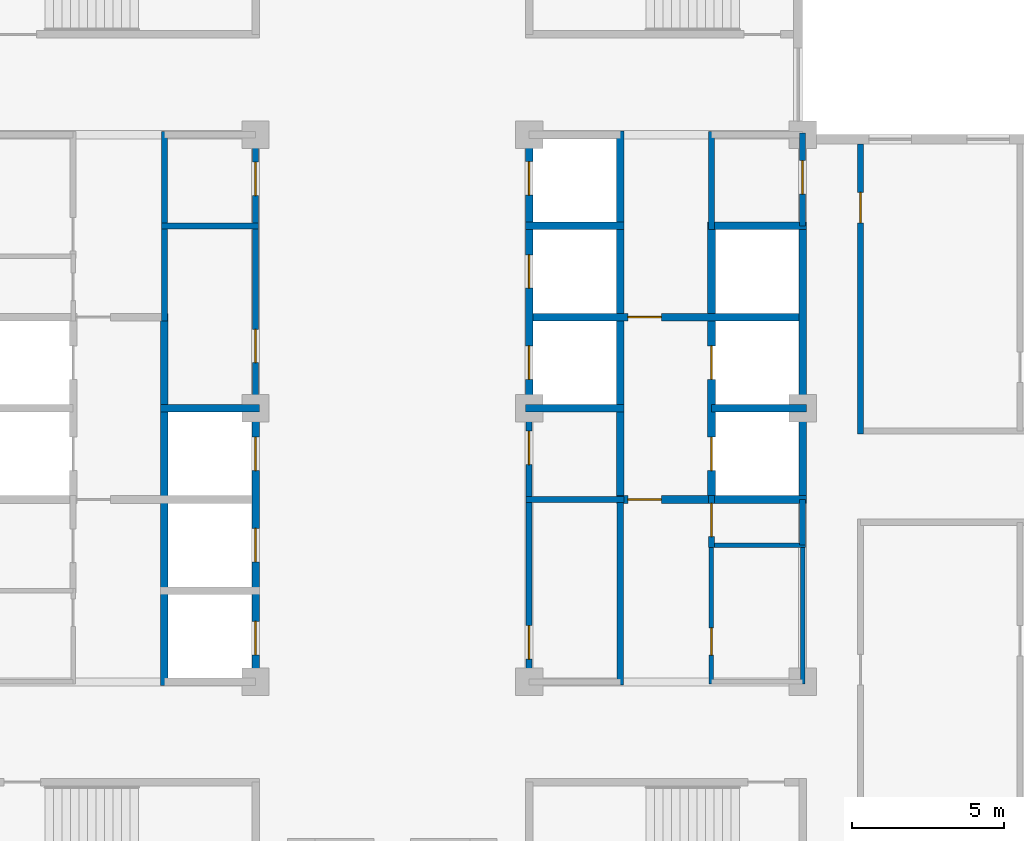
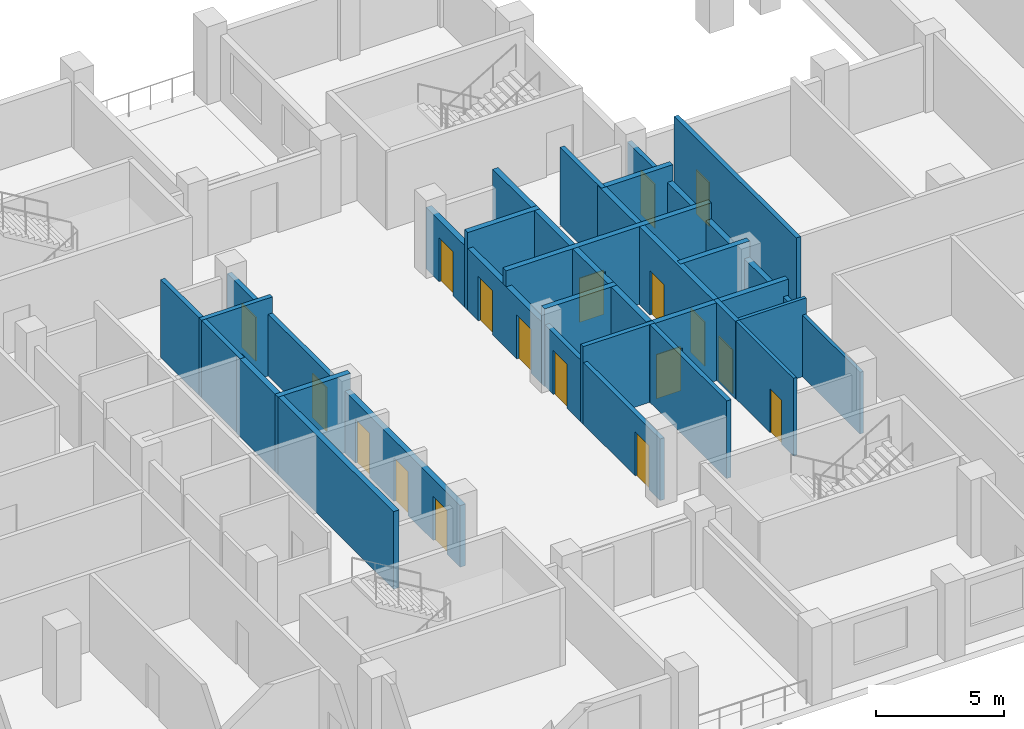
# One storey, part 5 of 12: 27 walls, 18 doors, 18 openings.
"""IFC4 building model written with IfcOpenShell, lengths in metres."""

from ifc_helpers import new_model, si_unit, direction, frame, frame_2d, origin, place, context, subcontext, project, spatial, rectangle, extrude, material, layer, layer_set, type_object, element, fill, save


model = new_model("IFC4")

# Units and contexts
model_context = context("Model", 3, precision=1e-05, world=origin(), true_north=direction((0.0, 1.0)))
body_context = subcontext(model_context, "Body", "Model", "MODEL_VIEW")
ifc_project = project(units=[si_unit("LENGTHUNIT", "METRE"), si_unit("AREAUNIT", "SQUARE_METRE"), si_unit("VOLUMEUNIT", "CUBIC_METRE"), si_unit("PLANEANGLEUNIT", "RADIAN"), si_unit("MASSUNIT", "GRAM", prefix="KILO")], contexts=[model_context])

# Site, building, storey
site_placement = place(None, origin())
site = spatial("IfcSite", under=ifc_project, at=site_placement, CompositionType="ELEMENT")
building_placement = place(site_placement, origin())
building = spatial("IfcBuilding", under=site, at=building_placement, Name="Corbelhall Arena Tower", CompositionType="ELEMENT")
storey_placement = place(building_placement, frame((0.0, 0.0, 126.0)))
storey = spatial("IfcBuildingStorey", under=building, at=storey_placement, Name="L23", CompositionType="ELEMENT", Elevation=126.0)

# Wall, opening, door
ifc_material_1 = material(Name="Gypsum board on steel stud, acoustic", Category="steel")
ifc_layer_1 = layer(ifc_material_1, 0.199951171875)
ifc_layer_set_1 = layer_set([ifc_layer_1], Name="IN-W-DM200")
wall_type_1 = type_object("IfcWallType", Name="IN-W-DM200", PredefinedType="PARTITIONING", material=ifc_layer_set_1)
wall_1_placement = place(storey_placement, frame((15.39990234375, 8.699951171875, 0.0), z_axis=(0.0, 0.0, 1.0), x_axis=(0.0, -1.0, 0.0)))
wall_1 = element("IfcWall", 1, at=wall_1_placement, inside=storey, type_object=wall_type_1, Name="Partition 033", PredefinedType="PARTITIONING", context=body_context, shape_type="SweptSolid", body=[
    extrude(rectangle(XDim=9.550048828125, YDim=0.199951171875, at=frame_2d((4.77490234375, 0.0))), origin(), (0.0, 0.0, 1.0), 3.699951171875),
])
opening_1_placement = place(wall_1_placement, frame((1.60009765625, 0.0, 0.0)))
opening_1 = element("IfcOpeningElement", 2, at=opening_1_placement, cuts=wall_1, Name="Opening 06033", PredefinedType="OPENING", context=body_context, shape_type="SweptSolid", body=[
    extrude(rectangle(XDim=1.0, YDim=2.10009765625, at=frame_2d((0.5, 1.050048828125))), frame((0.0, 0.10009765625, 0.0), z_axis=(0.0, -1.0, 0.0), x_axis=(1.0, 0.0, 0.0)), (0.0, 0.0, 1.0), 0.199951171875),
])
ifc_material_2 = material(Name="Steel door set", Category="steel")
door_type_1 = type_object("IfcDoorType", Name="IN-D-SW100", OperationType="NOTDEFINED", PredefinedType="DOOR", material=ifc_material_2)
door_1_placement = place(opening_1_placement, origin())
door_1 = element("IfcDoor", 3, at=door_1_placement, inside=storey, type_object=door_type_1, Name="Door 033", OperationType="SINGLE_SWING_RIGHT", OverallHeight=2.10009765625, OverallWidth=1.0, PredefinedType="DOOR", context=body_context, shape_type="SweptSolid", body=[
    extrude(rectangle(XDim=1.0, YDim=2.10009765625, at=frame_2d((0.5, 1.050048828125))), frame((0.0, 0.02490234375, 0.0), z_axis=(0.0, -1.0, 0.0), x_axis=(1.0, 0.0, 0.0)), (0.0, 0.0, 1.0), 0.050048828125),
])
fill(opening_1, door_1)

# Walls
ifc_material_3 = material(Name="Concrete block wall", Category="concrete")
ifc_layer_2 = layer(ifc_material_3, 0.199951171875)
ifc_layer_set_2 = layer_set([ifc_layer_2], Name="IN-W-RS200")
wall_type_2 = type_object("IfcWallType", Name="IN-W-RS200", PredefinedType="SOLIDWALL", material=ifc_layer_set_2)
wall_2_placement = place(storey_placement, frame((-7.60009765625, 6.0, 0.0), z_axis=(0.0, 0.0, 1.0), x_axis=(1.0, 0.0, 0.0)))
element("IfcWall", 4, at=wall_2_placement, inside=storey, type_object=wall_type_2, Name="Partition 050", PredefinedType="SOLIDWALL", context=body_context, shape_type="SweptSolid", body=[
    extrude(rectangle(XDim=3.2001953125, YDim=0.199951171875, at=frame_2d((1.60009765625, 0.0))), origin(), (0.0, 0.0, 1.0), 3.699951171875),
])
wall_3_placement = place(storey_placement, frame((-7.5, 2.875, 0.0), z_axis=(0.0, 0.0, 1.0), x_axis=(0.0, 1.0, 0.0)))
element("IfcWall", 5, at=wall_3_placement, inside=storey, type_object=wall_type_2, Name="Partition 051", PredefinedType="SOLIDWALL", context=body_context, shape_type="SweptSolid", body=[
    extrude(rectangle(XDim=6.22509765625, YDim=0.199951171875, at=frame_2d((3.112548828125, 0.0))), origin(), (0.0, 0.0, 1.0), 3.699951171875),
])
wall_4_placement = place(storey_placement, frame((4.39990234375, -3.0, 0.0), z_axis=(0.0, 0.0, 1.0), x_axis=(1.0, 0.0, 0.0)))
element("IfcWall", 6, at=wall_4_placement, inside=storey, type_object=wall_type_2, Name="Partition 054", PredefinedType="SOLIDWALL", context=body_context, shape_type="SweptSolid", body=[
    extrude(rectangle(XDim=3.22509765625, YDim=0.199951171875, at=frame_2d((1.612548828125, 0.0))), origin(), (0.0, 0.0, 1.0), 3.699951171875),
])
wall_5_placement = place(storey_placement, frame((7.5, -2.875, 0.0), z_axis=(0.0, 0.0, 1.0), x_axis=(0.0, -1.0, 0.0)))
element("IfcWall", 7, at=wall_5_placement, inside=storey, type_object=wall_type_2, Name="Partition 057", PredefinedType="SOLIDWALL", context=body_context, shape_type="SweptSolid", body=[
    extrude(rectangle(XDim=6.22509765625, YDim=0.199951171875, at=frame_2d((3.112548828125, 0.0))), origin(), (0.0, 0.0, 1.0), 3.699951171875),
])

# Wall, opening, door
wall_6_placement = place(storey_placement, frame((10.5, -2.875, 0.0), z_axis=(0.0, 0.0, 1.0), x_axis=(0.0, -1.0, 0.0)))
wall_6 = element("IfcWall", 8, at=wall_6_placement, inside=storey, type_object=wall_type_2, Name="Partition 058", PredefinedType="SOLIDWALL", context=body_context, shape_type="SweptSolid", body=[
    extrude(rectangle(XDim=1.699951171875, YDim=0.199951171875, at=frame_2d((0.85009765625, 0.0))), origin(), (0.0, 0.0, 1.0), 3.699951171875),
])
opening_2_placement = place(wall_6_placement, frame((0.25, 0.0, 0.0)))
opening_2 = element("IfcOpeningElement", 9, at=opening_2_placement, cuts=wall_6, Name="Opening 06013", PredefinedType="OPENING", context=body_context, shape_type="SweptSolid", body=[
    extrude(rectangle(XDim=1.10009765625, YDim=2.10009765625, at=frame_2d((0.550048828125, 1.050048828125))), frame((0.0, 0.10009765625, 0.0), z_axis=(0.0, -1.0, 0.0), x_axis=(1.0, 0.0, 0.0)), (0.0, 0.0, 1.0), 0.199951171875),
])
door_type_2 = type_object("IfcDoorType", Name="IN-D-FD110", OperationType="NOTDEFINED", PredefinedType="DOOR", material=ifc_material_2)
door_2_placement = place(opening_2_placement, origin())
door_2 = element("IfcDoor", 10, at=door_2_placement, inside=storey, type_object=door_type_2, Name="Door 013", OperationType="SINGLE_SWING_RIGHT", OverallHeight=2.10009765625, OverallWidth=1.10009765625, PredefinedType="DOOR", context=body_context, shape_type="SweptSolid", body=[
    extrude(rectangle(XDim=1.10009765625, YDim=2.10009765625, at=frame_2d((0.550048828125, 1.050048828125))), frame((0.0, 0.02490234375, 0.0), z_axis=(0.0, -1.0, 0.0), x_axis=(1.0, 0.0, 0.0)), (0.0, 0.0, 1.0), 0.050048828125),
])
fill(opening_2, door_2)

# Wall
wall_7_placement = place(storey_placement, frame((10.5, 9.10009765625, 0.0), z_axis=(0.0, 0.0, 1.0), x_axis=(0.0, -1.0, 0.0)))
element("IfcWall", 11, at=wall_7_placement, inside=storey, type_object=wall_type_2, Name="Partition 060", PredefinedType="SOLIDWALL", context=body_context, shape_type="SweptSolid", body=[
    extrude(rectangle(XDim=3.22509765625, YDim=0.199951171875, at=frame_2d((1.612548828125, 0.0))), origin(), (0.0, 0.0, 1.0), 3.699951171875),
])

# Wall, openings, doors
ifc_layer_3 = layer(ifc_material_3, 0.199951171875)
ifc_layer_set_3 = layer_set([ifc_layer_3], Name="IN-W-RS200 under beam 762 mm")
wall_type_3 = type_object("IfcWallType", Name="IN-W-RS200 under beam 762 mm", PredefinedType="SOLIDWALL", material=ifc_layer_set_3)
wall_8_placement = place(storey_placement, frame((-4.5, 9.10009765625, 0.0), z_axis=(0.0, 0.0, 1.0), x_axis=(0.0, -1.0, 0.0)))
wall_8 = element("IfcWall", 12, at=wall_8_placement, inside=storey, type_object=wall_type_3, Name="Partition 053", PredefinedType="SOLIDWALL", context=body_context, shape_type="SweptSolid", body=[
    extrude(rectangle(XDim=9.10009765625, YDim=0.199951171875, at=frame_2d((4.550048828125, 0.0))), origin(), (0.0, 0.0, 1.0), 2.93798828125),
])
opening_3_placement = place(wall_8_placement, frame((6.5, 0.0, 0.0)))
opening_3 = element("IfcOpeningElement", 13, at=opening_3_placement, cuts=wall_8, Name="Opening 06001", PredefinedType="OPENING", context=body_context, shape_type="SweptSolid", body=[
    extrude(rectangle(XDim=1.10009765625, YDim=2.10009765625, at=frame_2d((0.550048828125, 1.050048828125))), frame((0.0, 0.10009765625, 0.0), z_axis=(0.0, -1.0, 0.0), x_axis=(1.0, 0.0, 0.0)), (0.0, 0.0, 1.0), 0.199951171875),
])
opening_4_placement = place(wall_8_placement, frame((1.0, 0.0, 0.0)))
opening_4 = element("IfcOpeningElement", 14, at=opening_4_placement, cuts=wall_8, Name="Opening 06002", PredefinedType="OPENING", context=body_context, shape_type="SweptSolid", body=[
    extrude(rectangle(XDim=1.10009765625, YDim=2.10009765625, at=frame_2d((0.550048828125, 1.050048828125))), frame((0.0, 0.10009765625, 0.0), z_axis=(0.0, -1.0, 0.0), x_axis=(1.0, 0.0, 0.0)), (0.0, 0.0, 1.0), 0.199951171875),
])
door_3_placement = place(opening_3_placement, origin())
door_3 = element("IfcDoor", 15, at=door_3_placement, inside=storey, type_object=door_type_2, Name="Door 001", OperationType="SINGLE_SWING_RIGHT", OverallHeight=2.10009765625, OverallWidth=1.10009765625, PredefinedType="DOOR", context=body_context, shape_type="SweptSolid", body=[
    extrude(rectangle(XDim=1.10009765625, YDim=2.10009765625, at=frame_2d((0.550048828125, 1.050048828125))), frame((0.0, 0.02490234375, 0.0), z_axis=(0.0, -1.0, 0.0), x_axis=(1.0, 0.0, 0.0)), (0.0, 0.0, 1.0), 0.050048828125),
])
fill(opening_3, door_3)
door_4_placement = place(opening_4_placement, origin())
door_4 = element("IfcDoor", 16, at=door_4_placement, inside=storey, type_object=door_type_2, Name="Door 002", OperationType="SINGLE_SWING_LEFT", OverallHeight=2.10009765625, OverallWidth=1.10009765625, PredefinedType="DOOR", context=body_context, shape_type="SweptSolid", body=[
    extrude(rectangle(XDim=1.10009765625, YDim=2.10009765625, at=frame_2d((0.550048828125, 1.050048828125))), frame((0.0, 0.02490234375, 0.0), z_axis=(0.0, -1.0, 0.0), x_axis=(1.0, 0.0, 0.0)), (0.0, 0.0, 1.0), 0.050048828125),
])
fill(opening_4, door_4)

wall_9_placement = place(storey_placement, frame((4.5, -9.10009765625, 0.0), z_axis=(0.0, 0.0, 1.0), x_axis=(0.0, 1.0, 0.0)))
wall_9 = element("IfcWall", 17, at=wall_9_placement, inside=storey, type_object=wall_type_3, Name="Partition 055", PredefinedType="SOLIDWALL", context=body_context, shape_type="SweptSolid", body=[
    extrude(rectangle(XDim=9.10009765625, YDim=0.199951171875, at=frame_2d((4.550048828125, 0.0))), origin(), (0.0, 0.0, 1.0), 2.93798828125),
])
opening_5_placement = place(wall_9_placement, frame((0.85009765625, 0.0, 0.0)))
opening_5 = element("IfcOpeningElement", 18, at=opening_5_placement, cuts=wall_9, Name="Opening 06008", PredefinedType="OPENING", context=body_context, shape_type="SweptSolid", body=[
    extrude(rectangle(XDim=1.10009765625, YDim=2.10009765625, at=frame_2d((0.550048828125, 1.050048828125))), frame((0.0, 0.10009765625, 0.0), z_axis=(0.0, -1.0, 0.0), x_axis=(1.0, 0.0, 0.0)), (0.0, 0.0, 1.0), 0.199951171875),
])
opening_6_placement = place(wall_9_placement, frame((7.25, 0.0, 0.0)))
opening_6 = element("IfcOpeningElement", 19, at=opening_6_placement, cuts=wall_9, Name="Opening 06009", PredefinedType="OPENING", context=body_context, shape_type="SweptSolid", body=[
    extrude(rectangle(XDim=1.10009765625, YDim=2.10009765625, at=frame_2d((0.550048828125, 1.050048828125))), frame((0.0, 0.10009765625, 0.0), z_axis=(0.0, -1.0, 0.0), x_axis=(1.0, 0.0, 0.0)), (0.0, 0.0, 1.0), 0.199951171875),
])
door_5_placement = place(opening_5_placement, origin())
door_5 = element("IfcDoor", 20, at=door_5_placement, inside=storey, type_object=door_type_2, Name="Door 008", OperationType="SINGLE_SWING_LEFT", OverallHeight=2.10009765625, OverallWidth=1.10009765625, PredefinedType="DOOR", context=body_context, shape_type="SweptSolid", body=[
    extrude(rectangle(XDim=1.10009765625, YDim=2.10009765625, at=frame_2d((0.550048828125, 1.050048828125))), frame((0.0, 0.02490234375, 0.0), z_axis=(0.0, -1.0, 0.0), x_axis=(1.0, 0.0, 0.0)), (0.0, 0.0, 1.0), 0.050048828125),
])
fill(opening_5, door_5)
door_6_placement = place(opening_6_placement, origin())
door_6 = element("IfcDoor", 21, at=door_6_placement, inside=storey, type_object=door_type_2, Name="Door 009", OperationType="SINGLE_SWING_RIGHT", OverallHeight=2.10009765625, OverallWidth=1.10009765625, PredefinedType="DOOR", context=body_context, shape_type="SweptSolid", body=[
    extrude(rectangle(XDim=1.10009765625, YDim=2.10009765625, at=frame_2d((0.550048828125, 1.050048828125))), frame((0.0, 0.02490234375, 0.0), z_axis=(0.0, -1.0, 0.0), x_axis=(1.0, 0.0, 0.0)), (0.0, 0.0, 1.0), 0.050048828125),
])
fill(opening_6, door_6)

# Wall
wall_10_placement = place(storey_placement, frame((13.5, -3.0, 0.0), z_axis=(0.0, 0.0, 1.0), x_axis=(0.0, -1.0, 0.0)))
element("IfcWall", 22, at=wall_10_placement, inside=storey, type_object=wall_type_3, Name="Partition 061", PredefinedType="SOLIDWALL", context=body_context, shape_type="SweptSolid", body=[
    extrude(rectangle(XDim=1.5, YDim=0.199951171875, at=frame_2d((0.75, 0.0))), origin(), (0.0, 0.0, 1.0), 2.93798828125),
])

# Wall, opening, door
wall_11_placement = place(storey_placement, frame((13.5, 9.050048828125, 0.0), z_axis=(0.0, 0.0, 1.0), x_axis=(0.0, -1.0, 0.0)))
wall_11 = element("IfcWall", 23, at=wall_11_placement, inside=storey, type_object=wall_type_3, Name="Partition 062", PredefinedType="SOLIDWALL", context=body_context, shape_type="SweptSolid", body=[
    extrude(rectangle(XDim=3.050048828125, YDim=0.199951171875, at=frame_2d((1.52490234375, 0.0))), origin(), (0.0, 0.0, 1.0), 2.93798828125),
])
opening_7_placement = place(wall_11_placement, frame((0.89990234375, 0.0, 0.0)))
opening_7 = element("IfcOpeningElement", 24, at=opening_7_placement, cuts=wall_11, Name="Opening 06014", PredefinedType="OPENING", context=body_context, shape_type="SweptSolid", body=[
    extrude(rectangle(XDim=1.10009765625, YDim=2.10009765625, at=frame_2d((0.550048828125, 1.050048828125))), frame((0.0, 0.10009765625, 0.0), z_axis=(0.0, -1.0, 0.0), x_axis=(1.0, 0.0, 0.0)), (0.0, 0.0, 1.0), 0.199951171875),
])
door_7_placement = place(opening_7_placement, origin())
door_7 = element("IfcDoor", 25, at=door_7_placement, inside=storey, type_object=door_type_2, Name="Door 014", OperationType="SINGLE_SWING_LEFT", OverallHeight=2.10009765625, OverallWidth=1.10009765625, PredefinedType="DOOR", context=body_context, shape_type="SweptSolid", body=[
    extrude(rectangle(XDim=1.10009765625, YDim=2.10009765625, at=frame_2d((0.550048828125, 1.050048828125))), frame((0.0, 0.02490234375, 0.0), z_axis=(0.0, -1.0, 0.0), x_axis=(1.0, 0.0, 0.0)), (0.0, 0.0, 1.0), 0.050048828125),
])
fill(opening_7, door_7)

# Walls
ifc_material_4 = material(Name="Concrete C40/50", Category="concrete")
ifc_layer_4 = layer(ifc_material_4, 0.25)
ifc_layer_set_4 = layer_set([ifc_layer_4], Name="IN-W-SH250")
wall_type_4 = type_object("IfcWallType", Name="IN-W-SH250", PredefinedType="SOLIDWALL", material=ifc_layer_set_4)
wall_12_placement = place(storey_placement, frame((-7.625, 0.0, 0.0), z_axis=(0.0, 0.0, 1.0), x_axis=(1.0, 0.0, 0.0)))
element("IfcWall", 26, at=wall_12_placement, inside=storey, type_object=wall_type_4, Name="Shaft wall 069", PredefinedType="SOLIDWALL", context=body_context, shape_type="SweptSolid", body=[
    extrude(rectangle(XDim=3.25, YDim=0.25, at=frame_2d((1.625, 0.0))), origin(), (0.0, 0.0, 1.0), 3.699951171875),
])
wall_13_placement = place(storey_placement, frame((-7.5, -9.125, 0.0), z_axis=(0.0, 0.0, 1.0), x_axis=(0.0, 1.0, 0.0)))
element("IfcWall", 27, at=wall_13_placement, inside=storey, type_object=wall_type_4, Name="Shaft wall 070", PredefinedType="SOLIDWALL", context=body_context, shape_type="SweptSolid", body=[
    extrude(rectangle(XDim=12.25, YDim=0.25, at=frame_2d((6.125, 0.0))), origin(), (0.0, 0.0, 1.0), 3.699951171875),
])
wall_14_placement = place(storey_placement, frame((4.375, 0.0, 0.0), z_axis=(0.0, 0.0, 1.0), x_axis=(1.0, 0.0, 0.0)))
element("IfcWall", 28, at=wall_14_placement, inside=storey, type_object=wall_type_4, Name="Shaft wall 073", PredefinedType="SOLIDWALL", context=body_context, shape_type="SweptSolid", body=[
    extrude(rectangle(XDim=3.25, YDim=0.25, at=frame_2d((1.625, 0.0))), origin(), (0.0, 0.0, 1.0), 3.699951171875),
])

# Wall, opening, door
wall_15_placement = place(storey_placement, frame((4.375, 3.0, 0.0), z_axis=(0.0, 0.0, 1.0), x_axis=(1.0, 0.0, 0.0)))
wall_15 = element("IfcWall", 29, at=wall_15_placement, inside=storey, type_object=wall_type_4, Name="Shaft wall 074", PredefinedType="SOLIDWALL", context=body_context, shape_type="SweptSolid", body=[
    extrude(rectangle(XDim=9.25, YDim=0.25, at=frame_2d((4.625, 0.0))), origin(), (0.0, 0.0, 1.0), 3.699951171875),
])
opening_8_placement = place(wall_15_placement, frame((3.375, 0.0, 0.0)))
opening_8 = element("IfcOpeningElement", 30, at=opening_8_placement, cuts=wall_15, Name="Opening 06011", PredefinedType="OPENING", context=body_context, shape_type="SweptSolid", body=[
    extrude(rectangle(XDim=1.10009765625, YDim=2.10009765625, at=frame_2d((0.550048828125, 1.050048828125))), frame((0.0, 0.125, 0.0), z_axis=(0.0, -1.0, 0.0), x_axis=(1.0, 0.0, 0.0)), (0.0, 0.0, 1.0), 0.25),
])
door_8_placement = place(opening_8_placement, origin())
door_8 = element("IfcDoor", 31, at=door_8_placement, inside=storey, type_object=door_type_2, Name="Door 011", OperationType="SINGLE_SWING_RIGHT", OverallHeight=2.10009765625, OverallWidth=1.10009765625, PredefinedType="DOOR", context=body_context, shape_type="SweptSolid", body=[
    extrude(rectangle(XDim=1.10009765625, YDim=2.10009765625, at=frame_2d((0.550048828125, 1.050048828125))), frame((0.0, 0.02490234375, 0.0), z_axis=(0.0, -1.0, 0.0), x_axis=(1.0, 0.0, 0.0)), (0.0, 0.0, 1.0), 0.050048828125),
])
fill(opening_8, door_8)

# Wall
wall_16_placement = place(storey_placement, frame((4.375, 6.0, 0.0), z_axis=(0.0, 0.0, 1.0), x_axis=(1.0, 0.0, 0.0)))
element("IfcWall", 32, at=wall_16_placement, inside=storey, type_object=wall_type_4, Name="Shaft wall 075", PredefinedType="SOLIDWALL", context=body_context, shape_type="SweptSolid", body=[
    extrude(rectangle(XDim=3.25, YDim=0.25, at=frame_2d((1.625, 0.0))), origin(), (0.0, 0.0, 1.0), 3.699951171875),
])

# Wall, opening, door
wall_17_placement = place(storey_placement, frame((7.5, -3.0, 0.0), z_axis=(0.0, 0.0, 1.0), x_axis=(1.0, 0.0, 0.0)))
wall_17 = element("IfcWall", 33, at=wall_17_placement, inside=storey, type_object=wall_type_4, Name="Shaft wall 078", PredefinedType="SOLIDWALL", context=body_context, shape_type="SweptSolid", body=[
    extrude(rectangle(XDim=6.125, YDim=0.25, at=frame_2d((3.0625, 0.0))), origin(), (0.0, 0.0, 1.0), 3.699951171875),
])
opening_9_placement = place(wall_17_placement, frame((0.25, 0.0, 0.0)))
opening_9 = element("IfcOpeningElement", 34, at=opening_9_placement, cuts=wall_17, Name="Opening 06010", PredefinedType="OPENING", context=body_context, shape_type="SweptSolid", body=[
    extrude(rectangle(XDim=1.10009765625, YDim=2.10009765625, at=frame_2d((0.550048828125, 1.050048828125))), frame((0.0, 0.125, 0.0), z_axis=(0.0, -1.0, 0.0), x_axis=(1.0, 0.0, 0.0)), (0.0, 0.0, 1.0), 0.25),
])
door_9_placement = place(opening_9_placement, origin())
door_9 = element("IfcDoor", 35, at=door_9_placement, inside=storey, type_object=door_type_2, Name="Door 010", OperationType="SINGLE_SWING_LEFT", OverallHeight=2.10009765625, OverallWidth=1.10009765625, PredefinedType="DOOR", context=body_context, shape_type="SweptSolid", body=[
    extrude(rectangle(XDim=1.10009765625, YDim=2.10009765625, at=frame_2d((0.550048828125, 1.050048828125))), frame((0.0, 0.02490234375, 0.0), z_axis=(0.0, -1.0, 0.0), x_axis=(1.0, 0.0, 0.0)), (0.0, 0.0, 1.0), 0.050048828125),
])
fill(opening_9, door_9)

# Walls
wall_18_placement = place(storey_placement, frame((7.5, 9.125, 0.0), z_axis=(0.0, 0.0, 1.0), x_axis=(0.0, -1.0, 0.0)))
element("IfcWall", 36, at=wall_18_placement, inside=storey, type_object=wall_type_4, Name="Shaft wall 079", PredefinedType="SOLIDWALL", context=body_context, shape_type="SweptSolid", body=[
    extrude(rectangle(XDim=12.25, YDim=0.25, at=frame_2d((6.125, 0.0))), origin(), (0.0, 0.0, 1.0), 3.699951171875),
])
wall_19_placement = place(storey_placement, frame((10.5, 0.0, 0.0), z_axis=(0.0, 0.0, 1.0), x_axis=(1.0, 0.0, 0.0)))
element("IfcWall", 37, at=wall_19_placement, inside=storey, type_object=wall_type_4, Name="Shaft wall 080", PredefinedType="SOLIDWALL", context=body_context, shape_type="SweptSolid", body=[
    extrude(rectangle(XDim=3.125, YDim=0.25, at=frame_2d((1.5625, 0.0))), origin(), (0.0, 0.0, 1.0), 3.699951171875),
])

# Wall, openings, doors
wall_20_placement = place(storey_placement, frame((10.5, 6.125, 0.0), z_axis=(0.0, 0.0, 1.0), x_axis=(0.0, -1.0, 0.0)))
wall_20 = element("IfcWall", 38, at=wall_20_placement, inside=storey, type_object=wall_type_4, Name="Shaft wall 081", PredefinedType="SOLIDWALL", context=body_context, shape_type="SweptSolid", body=[
    extrude(rectangle(XDim=9.25, YDim=0.25, at=frame_2d((4.625, 0.0))), origin(), (0.0, 0.0, 1.0), 3.699951171875),
])
opening_10_placement = place(wall_20_placement, frame((7.074951171875, 0.0, 0.0)))
opening_10 = element("IfcOpeningElement", 39, at=opening_10_placement, cuts=wall_20, Name="Opening LD", PredefinedType="OPENING", context=body_context, shape_type="SweptSolid", body=[
    extrude(rectangle(XDim=1.10009765625, YDim=2.10009765625, at=frame_2d((0.550048828125, 1.050048828125))), frame((0.0, 0.125, 0.0), z_axis=(0.0, -1.0, 0.0), x_axis=(1.0, 0.0, 0.0)), (0.0, 0.0, 1.0), 0.25),
])
opening_11_placement = place(wall_20_placement, frame((4.074951171875, 0.0, 0.0)))
opening_11 = element("IfcOpeningElement", 40, at=opening_11_placement, cuts=wall_20, Name="Opening LD", PredefinedType="OPENING", context=body_context, shape_type="SweptSolid", body=[
    extrude(rectangle(XDim=1.10009765625, YDim=2.10009765625, at=frame_2d((0.550048828125, 1.050048828125))), frame((0.0, 0.125, 0.0), z_axis=(0.0, -1.0, 0.0), x_axis=(1.0, 0.0, 0.0)), (0.0, 0.0, 1.0), 0.25),
])
door_type_3 = type_object("IfcDoorType", Name="IN-D-LD110", OperationType="NOTDEFINED", PredefinedType="DOOR", material=ifc_material_2)
door_10_placement = place(opening_10_placement, origin())
door_10 = element("IfcDoor", 41, at=door_10_placement, inside=storey, type_object=door_type_3, Name="Landing door E3", OperationType="SLIDING_TO_LEFT", OverallHeight=2.10009765625, OverallWidth=1.10009765625, PredefinedType="DOOR", context=body_context, shape_type="SweptSolid", body=[
    extrude(rectangle(XDim=1.10009765625, YDim=2.10009765625, at=frame_2d((0.550048828125, 1.050048828125))), frame((0.0, 0.02490234375, 0.0), z_axis=(0.0, -1.0, 0.0), x_axis=(1.0, 0.0, 0.0)), (0.0, 0.0, 1.0), 0.050048828125),
])
fill(opening_10, door_10)
door_11_placement = place(opening_11_placement, origin())
door_11 = element("IfcDoor", 42, at=door_11_placement, inside=storey, type_object=door_type_3, Name="Landing door E4", OperationType="SLIDING_TO_LEFT", OverallHeight=2.10009765625, OverallWidth=1.10009765625, PredefinedType="DOOR", context=body_context, shape_type="SweptSolid", body=[
    extrude(rectangle(XDim=1.10009765625, YDim=2.10009765625, at=frame_2d((0.550048828125, 1.050048828125))), frame((0.0, 0.02490234375, 0.0), z_axis=(0.0, -1.0, 0.0), x_axis=(1.0, 0.0, 0.0)), (0.0, 0.0, 1.0), 0.050048828125),
])
fill(opening_11, door_11)

# Wall
wall_21_placement = place(storey_placement, frame((10.5, 6.0, 0.0), z_axis=(0.0, 0.0, 1.0), x_axis=(1.0, 0.0, 0.0)))
element("IfcWall", 43, at=wall_21_placement, inside=storey, type_object=wall_type_4, Name="Shaft wall 082", PredefinedType="SOLIDWALL", context=body_context, shape_type="SweptSolid", body=[
    extrude(rectangle(XDim=3.125, YDim=0.25, at=frame_2d((1.5625, 0.0))), origin(), (0.0, 0.0, 1.0), 3.699951171875),
])

# Wall, openings, doors
ifc_layer_5 = layer(ifc_material_4, 0.25)
ifc_layer_set_5 = layer_set([ifc_layer_5], Name="IN-W-SH250 under beam 762 mm")
wall_type_5 = type_object("IfcWallType", Name="IN-W-SH250 under beam 762 mm", PredefinedType="SOLIDWALL", material=ifc_layer_set_5)
wall_22_placement = place(storey_placement, frame((-4.5, 0.0, 0.0), z_axis=(0.0, 0.0, 1.0), x_axis=(0.0, -1.0, 0.0)))
wall_22 = element("IfcWall", 44, at=wall_22_placement, inside=storey, type_object=wall_type_5, Name="Shaft wall 072", PredefinedType="SOLIDWALL", context=body_context, shape_type="SweptSolid", body=[
    extrude(rectangle(XDim=9.125, YDim=0.25, at=frame_2d((4.5625, 0.0))), origin(), (0.0, 0.0, 1.0), 2.93798828125),
])
opening_12_placement = place(wall_22_placement, frame((7.012451171875, 0.0, 0.0)))
opening_12 = element("IfcOpeningElement", 45, at=opening_12_placement, cuts=wall_22, Name="Opening LD", PredefinedType="OPENING", context=body_context, shape_type="SweptSolid", body=[
    extrude(rectangle(XDim=1.10009765625, YDim=2.10009765625, at=frame_2d((0.550048828125, 1.050048828125))), frame((0.0, 0.125, 0.0), z_axis=(0.0, -1.0, 0.0), x_axis=(1.0, 0.0, 0.0)), (0.0, 0.0, 1.0), 0.25),
])
opening_13_placement = place(wall_22_placement, frame((3.949951171875, 0.0, 0.0)))
opening_13 = element("IfcOpeningElement", 46, at=opening_13_placement, cuts=wall_22, Name="Opening LD", PredefinedType="OPENING", context=body_context, shape_type="SweptSolid", body=[
    extrude(rectangle(XDim=1.10009765625, YDim=2.10009765625, at=frame_2d((0.550048828125, 1.050048828125))), frame((0.0, 0.125, 0.0), z_axis=(0.0, -1.0, 0.0), x_axis=(1.0, 0.0, 0.0)), (0.0, 0.0, 1.0), 0.25),
])
opening_14_placement = place(wall_22_placement, frame((0.949951171875, 0.0, 0.0)))
opening_14 = element("IfcOpeningElement", 47, at=opening_14_placement, cuts=wall_22, Name="Opening LD", PredefinedType="OPENING", context=body_context, shape_type="SweptSolid", body=[
    extrude(rectangle(XDim=1.10009765625, YDim=2.10009765625, at=frame_2d((0.550048828125, 1.050048828125))), frame((0.0, 0.125, 0.0), z_axis=(0.0, -1.0, 0.0), x_axis=(1.0, 0.0, 0.0)), (0.0, 0.0, 1.0), 0.25),
])
door_12_placement = place(opening_12_placement, origin())
door_12 = element("IfcDoor", 48, at=door_12_placement, inside=storey, type_object=door_type_3, Name="Landing door W1", OperationType="SLIDING_TO_LEFT", OverallHeight=2.10009765625, OverallWidth=1.10009765625, PredefinedType="DOOR", context=body_context, shape_type="SweptSolid", body=[
    extrude(rectangle(XDim=1.10009765625, YDim=2.10009765625, at=frame_2d((0.550048828125, 1.050048828125))), frame((0.0, 0.02490234375, 0.0), z_axis=(0.0, -1.0, 0.0), x_axis=(1.0, 0.0, 0.0)), (0.0, 0.0, 1.0), 0.050048828125),
])
fill(opening_12, door_12)
door_13_placement = place(opening_13_placement, origin())
door_13 = element("IfcDoor", 49, at=door_13_placement, inside=storey, type_object=door_type_3, Name="Landing door W2", OperationType="SLIDING_TO_LEFT", OverallHeight=2.10009765625, OverallWidth=1.10009765625, PredefinedType="DOOR", context=body_context, shape_type="SweptSolid", body=[
    extrude(rectangle(XDim=1.10009765625, YDim=2.10009765625, at=frame_2d((0.550048828125, 1.050048828125))), frame((0.0, 0.02490234375, 0.0), z_axis=(0.0, -1.0, 0.0), x_axis=(1.0, 0.0, 0.0)), (0.0, 0.0, 1.0), 0.050048828125),
])
fill(opening_13, door_13)
door_14_placement = place(opening_14_placement, origin())
door_14 = element("IfcDoor", 50, at=door_14_placement, inside=storey, type_object=door_type_3, Name="Landing door W3", OperationType="SLIDING_TO_LEFT", OverallHeight=2.10009765625, OverallWidth=1.10009765625, PredefinedType="DOOR", context=body_context, shape_type="SweptSolid", body=[
    extrude(rectangle(XDim=1.10009765625, YDim=2.10009765625, at=frame_2d((0.550048828125, 1.050048828125))), frame((0.0, 0.02490234375, 0.0), z_axis=(0.0, -1.0, 0.0), x_axis=(1.0, 0.0, 0.0)), (0.0, 0.0, 1.0), 0.050048828125),
])
fill(opening_14, door_14)

wall_23_placement = place(storey_placement, frame((4.5, 0.0, 0.0), z_axis=(0.0, 0.0, 1.0), x_axis=(0.0, 1.0, 0.0)))
wall_23 = element("IfcWall", 51, at=wall_23_placement, inside=storey, type_object=wall_type_5, Name="Shaft wall 076", PredefinedType="SOLIDWALL", context=body_context, shape_type="SweptSolid", body=[
    extrude(rectangle(XDim=9.125, YDim=0.25, at=frame_2d((4.5625, 0.0))), origin(), (0.0, 0.0, 1.0), 2.93798828125),
])
opening_15_placement = place(wall_23_placement, frame((0.949951171875, 0.0, 0.0)))
opening_15 = element("IfcOpeningElement", 52, at=opening_15_placement, cuts=wall_23, Name="Opening LD", PredefinedType="OPENING", context=body_context, shape_type="SweptSolid", body=[
    extrude(rectangle(XDim=1.10009765625, YDim=2.10009765625, at=frame_2d((0.550048828125, 1.050048828125))), frame((0.0, 0.125, 0.0), z_axis=(0.0, -1.0, 0.0), x_axis=(1.0, 0.0, 0.0)), (0.0, 0.0, 1.0), 0.25),
])
opening_16_placement = place(wall_23_placement, frame((3.949951171875, 0.0, 0.0)))
opening_16 = element("IfcOpeningElement", 53, at=opening_16_placement, cuts=wall_23, Name="Opening LD", PredefinedType="OPENING", context=body_context, shape_type="SweptSolid", body=[
    extrude(rectangle(XDim=1.10009765625, YDim=2.10009765625, at=frame_2d((0.550048828125, 1.050048828125))), frame((0.0, 0.125, 0.0), z_axis=(0.0, -1.0, 0.0), x_axis=(1.0, 0.0, 0.0)), (0.0, 0.0, 1.0), 0.25),
])
opening_17_placement = place(wall_23_placement, frame((7.012451171875, 0.0, 0.0)))
opening_17 = element("IfcOpeningElement", 54, at=opening_17_placement, cuts=wall_23, Name="Opening LD", PredefinedType="OPENING", context=body_context, shape_type="SweptSolid", body=[
    extrude(rectangle(XDim=1.10009765625, YDim=2.10009765625, at=frame_2d((0.550048828125, 1.050048828125))), frame((0.0, 0.125, 0.0), z_axis=(0.0, -1.0, 0.0), x_axis=(1.0, 0.0, 0.0)), (0.0, 0.0, 1.0), 0.25),
])
door_15_placement = place(opening_15_placement, origin())
door_15 = element("IfcDoor", 55, at=door_15_placement, inside=storey, type_object=door_type_3, Name="Landing door E4", OperationType="SLIDING_TO_LEFT", OverallHeight=2.10009765625, OverallWidth=1.10009765625, PredefinedType="DOOR", context=body_context, shape_type="SweptSolid", body=[
    extrude(rectangle(XDim=1.10009765625, YDim=2.10009765625, at=frame_2d((0.550048828125, 1.050048828125))), frame((0.0, 0.02490234375, 0.0), z_axis=(0.0, -1.0, 0.0), x_axis=(1.0, 0.0, 0.0)), (0.0, 0.0, 1.0), 0.050048828125),
])
fill(opening_15, door_15)
door_16_placement = place(opening_16_placement, origin())
door_16 = element("IfcDoor", 56, at=door_16_placement, inside=storey, type_object=door_type_3, Name="Landing door E5", OperationType="SLIDING_TO_LEFT", OverallHeight=2.10009765625, OverallWidth=1.10009765625, PredefinedType="DOOR", context=body_context, shape_type="SweptSolid", body=[
    extrude(rectangle(XDim=1.10009765625, YDim=2.10009765625, at=frame_2d((0.550048828125, 1.050048828125))), frame((0.0, 0.02490234375, 0.0), z_axis=(0.0, -1.0, 0.0), x_axis=(1.0, 0.0, 0.0)), (0.0, 0.0, 1.0), 0.050048828125),
])
fill(opening_16, door_16)
door_17_placement = place(opening_17_placement, origin())
door_17 = element("IfcDoor", 57, at=door_17_placement, inside=storey, type_object=door_type_3, Name="Landing door E6", OperationType="SLIDING_TO_LEFT", OverallHeight=2.10009765625, OverallWidth=1.10009765625, PredefinedType="DOOR", context=body_context, shape_type="SweptSolid", body=[
    extrude(rectangle(XDim=1.10009765625, YDim=2.10009765625, at=frame_2d((0.550048828125, 1.050048828125))), frame((0.0, 0.02490234375, 0.0), z_axis=(0.0, -1.0, 0.0), x_axis=(1.0, 0.0, 0.0)), (0.0, 0.0, 1.0), 0.050048828125),
])
fill(opening_17, door_17)

# Walls
wall_24_placement = place(storey_placement, frame((13.5, 6.0, 0.0), z_axis=(0.0, 0.0, 1.0), x_axis=(0.0, -1.0, 0.0)))
element("IfcWall", 58, at=wall_24_placement, inside=storey, type_object=wall_type_5, Name="Shaft wall 083", PredefinedType="SOLIDWALL", context=body_context, shape_type="SweptSolid", body=[
    extrude(rectangle(XDim=9.0, YDim=0.25, at=frame_2d((4.5, 0.0))), origin(), (0.0, 0.0, 1.0), 2.93798828125),
])
ifc_material_5 = material(Name="Gypsum board on steel stud, moisture resistant", Category="steel")
ifc_layer_6 = layer(ifc_material_5, 0.14990234375)
ifc_layer_set_6 = layer_set([ifc_layer_6], Name="IN-W-WC150")
wall_type_6 = type_object("IfcWallType", Name="IN-W-WC150", PredefinedType="PARTITIONING", material=ifc_layer_set_6)
wall_25_placement = place(storey_placement, frame((10.5, -4.5, 0.0), z_axis=(0.0, 0.0, 1.0), x_axis=(1.0, 0.0, 0.0)))
element("IfcWall", 59, at=wall_25_placement, inside=storey, type_object=wall_type_6, Name="Partition 118", PredefinedType="PARTITIONING", context=body_context, shape_type="SweptSolid", body=[
    extrude(rectangle(XDim=3.10009765625, YDim=0.14990234375, at=frame_2d((1.550048828125, 0.0))), origin(), (0.0, 0.0, 1.0), 3.699951171875),
])

# Wall, opening, door
wall_26_placement = place(storey_placement, frame((10.5, -4.425048828125, 0.0), z_axis=(0.0, 0.0, 1.0), x_axis=(0.0, -1.0, 0.0)))
wall_26 = element("IfcWall", 60, at=wall_26_placement, inside=storey, type_object=wall_type_6, Name="Partition 119", PredefinedType="PARTITIONING", context=body_context, shape_type="SweptSolid", body=[
    extrude(rectangle(XDim=4.64990234375, YDim=0.14990234375, at=frame_2d((2.324951171875, 0.0))), origin(), (0.0, 0.0, 1.0), 3.699951171875),
])
opening_18_placement = place(wall_26_placement, frame((2.800048828125, 0.0, 0.0)))
opening_18 = element("IfcOpeningElement", 61, at=opening_18_placement, cuts=wall_26, Name="Opening 06012", PredefinedType="OPENING", context=body_context, shape_type="SweptSolid", body=[
    extrude(rectangle(XDim=0.89990234375, YDim=2.10009765625, at=frame_2d((0.449951171875, 1.050048828125))), frame((0.0, 0.074951171875, 0.0), z_axis=(0.0, -1.0, 0.0), x_axis=(1.0, 0.0, 0.0)), (0.0, 0.0, 1.0), 0.14990234375),
])
ifc_material_6 = material(Name="Timber door set", Category="wood")
door_type_4 = type_object("IfcDoorType", Name="IN-D-SW90", OperationType="NOTDEFINED", PredefinedType="DOOR", material=ifc_material_6)
door_18_placement = place(opening_18_placement, origin())
door_18 = element("IfcDoor", 62, at=door_18_placement, inside=storey, type_object=door_type_4, Name="Door 012", OperationType="SINGLE_SWING_LEFT", OverallHeight=2.10009765625, OverallWidth=0.89990234375, PredefinedType="DOOR", context=body_context, shape_type="SweptSolid", body=[
    extrude(rectangle(XDim=0.89990234375, YDim=2.10009765625, at=frame_2d((0.449951171875, 1.050048828125))), frame((0.0, 0.02490234375, 0.0), z_axis=(0.0, -1.0, 0.0), x_axis=(1.0, 0.0, 0.0)), (0.0, 0.0, 1.0), 0.050048828125),
])
fill(opening_18, door_18)

# Wall
ifc_layer_7 = layer(ifc_material_5, 0.14990234375)
ifc_layer_set_7 = layer_set([ifc_layer_7], Name="IN-W-WC150 under beam 762 mm")
wall_type_7 = type_object("IfcWallType", Name="IN-W-WC150 under beam 762 mm", PredefinedType="PARTITIONING", material=ifc_layer_set_7)
wall_27_placement = place(storey_placement, frame((13.5, -4.5, 0.0), z_axis=(0.0, 0.0, 1.0), x_axis=(0.0, -1.0, 0.0)))
element("IfcWall", 63, at=wall_27_placement, inside=storey, type_object=wall_type_7, Name="Partition 121", PredefinedType="PARTITIONING", context=body_context, shape_type="SweptSolid", body=[
    extrude(rectangle(XDim=4.574951171875, YDim=0.14990234375, at=frame_2d((2.28759765625, 0.0))), origin(), (0.0, 0.0, 1.0), 2.93798828125),
])

save(model, "model.ifc")
